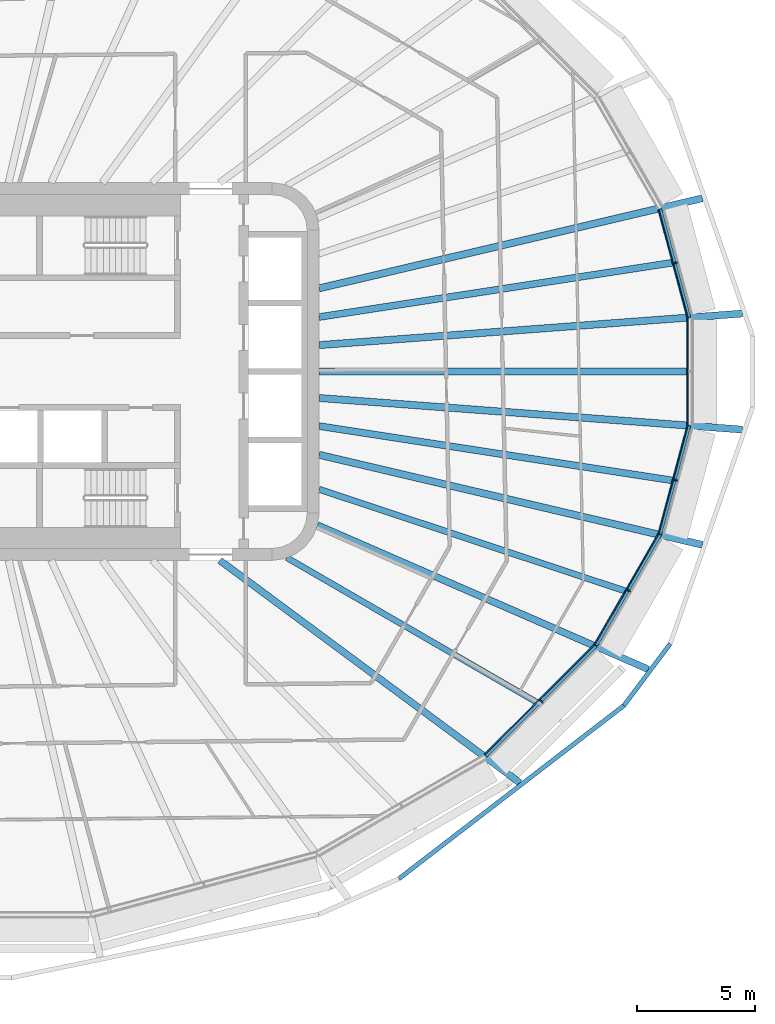
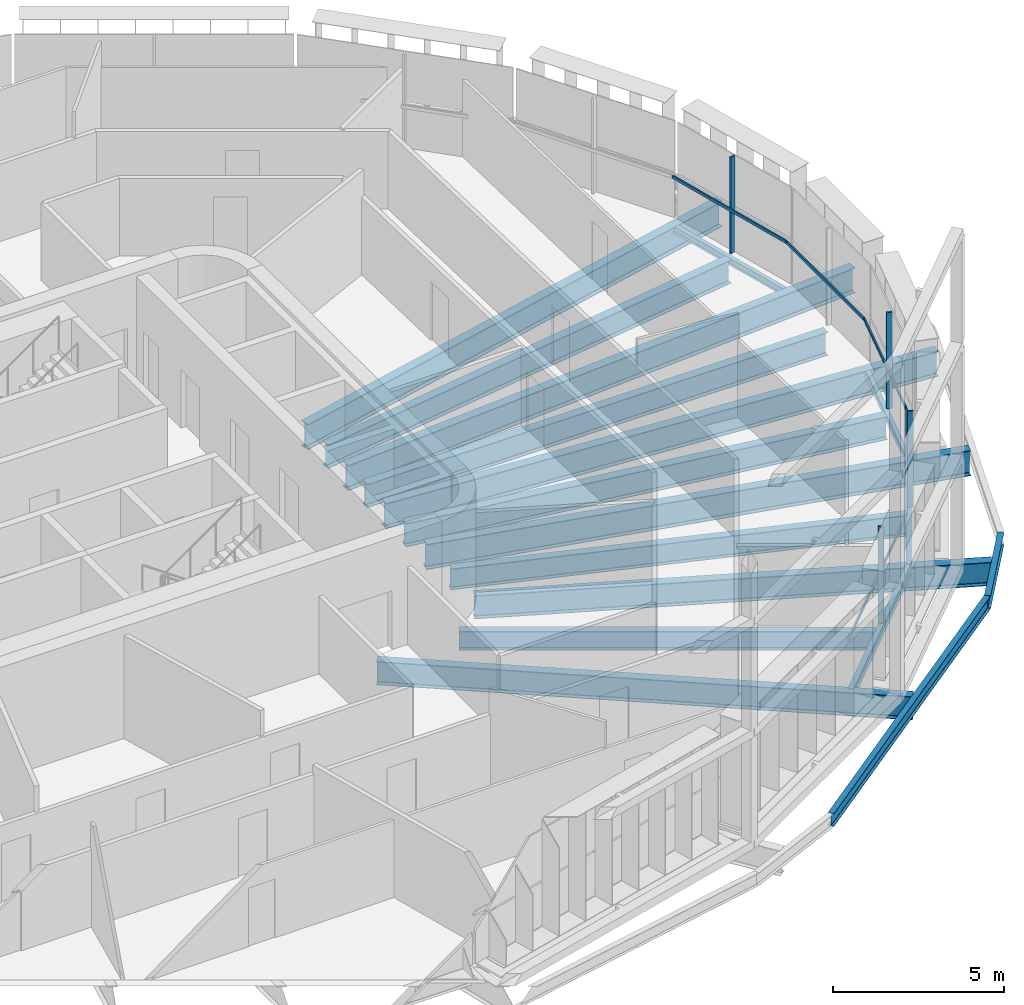
# One storey, part 4 of 23: 17 beams, 9 members, 5 elements without a shape of their own.
"""IFC4 building model written with IfcOpenShell, lengths in metres."""

from ifc_helpers import new_model, si_unit, direction, frame, origin, origin_2d, place, context, subcontext, project, spatial, rectangle, i_section, extrude, material, layer, layer_set, material_profile, profile_set, type_object, element, aggregate, save


model = new_model("IFC4")

# Units and contexts
model_context = context("Model", 3, precision=1e-05, world=origin(), true_north=direction((0.0, 1.0)))
body_context = subcontext(model_context, "Body", "Model", "MODEL_VIEW")
ifc_project = project(units=[si_unit("LENGTHUNIT", "METRE"), si_unit("AREAUNIT", "SQUARE_METRE"), si_unit("VOLUMEUNIT", "CUBIC_METRE"), si_unit("PLANEANGLEUNIT", "RADIAN"), si_unit("MASSUNIT", "GRAM", prefix="KILO")], contexts=[model_context])

# Site, building, storey
site_placement = place(None, origin())
site = spatial("IfcSite", under=ifc_project, at=site_placement, CompositionType="ELEMENT")
building_placement = place(site_placement, origin())
building = spatial("IfcBuilding", under=site, at=building_placement, Name="Sahrelin Media Tower", CompositionType="ELEMENT")
storey_placement = place(building_placement, frame((0.0, 0.0, 185.60009765625)))
storey = spatial("IfcBuildingStorey", under=building, at=storey_placement, Name="L39", CompositionType="ELEMENT", Elevation=185.60009765625)

# Beams
ifc_material_1 = material(Name="Steel S355", Category="steel")
ifc_material_profile_1 = material_profile(ifc_material_1, i_section(OverallWidth=0.14599609375, OverallDepth=0.25146484375, WebThickness=0.006103515625, FlangeThickness=0.008544921875, FilletRadius=0.007568359375, at=origin_2d()), Name="UB 254x146x31")
ifc_profile_set_1 = profile_set([ifc_material_profile_1], Name="Steel S355")
beam_type_1 = type_object("IfcBeamType", Name="Edge beam EB1", PredefinedType="BEAM", material=ifc_profile_set_1)
for number, where, z_axis, x_axis, name in (
    (1, (30.673583984375, -2.296142578125, -0.27587890625), (-0.258840645059, -0.965920038339, 0.0), (0.965920038339, -0.258840645059, 0.0), "Edge beam L39-02"),
    (2, (29.445068359375, 6.880615234375, -0.27587890625), (0.258840645059, -0.965920038339, 0.0), (0.965920038339, 0.258840645059, 0.0), "Edge beam L39-24"),
):
    element("IfcBeam", number, at=place(storey_placement, frame(where, z_axis=z_axis, x_axis=x_axis)), inside=storey, type_object=beam_type_1, Name=name, PredefinedType="BEAM", context=body_context, shape_type="SweptSolid", body=[
        extrude(i_section(OverallWidth=0.14599609375, OverallDepth=0.25146484375, WebThickness=0.006103515625, FlangeThickness=0.008544921875, FilletRadius=0.007568359375, at=origin_2d()), origin(), (0.0, 0.0, 1.0), 4.746337890625),
    ])
ifc_material_profile_2 = material_profile(ifc_material_1, i_section(OverallWidth=0.1650390625, OverallDepth=0.303466796875, WebThickness=0.006103515625, FlangeThickness=0.01025390625, FilletRadius=0.0087890625, at=origin_2d()), Name="UB 305x165x40")
ifc_profile_set_2 = profile_set([ifc_material_profile_2], Name="Steel S355")
beam_type_2 = type_object("IfcBeamType", Name="Edge beam EB2", PredefinedType="BEAM", material=ifc_profile_set_2)
beam_1_placement = place(storey_placement, frame((29.43408203125, -6.9072265625, -0.3017578125), z_axis=(-0.500016705875, -0.866015758428, 0.0), x_axis=(0.866015758428, -0.500016705875, 0.0)))
element("IfcBeam", 3, at=beam_1_placement, inside=storey, type_object=beam_type_2, Name="Edge beam L39-03", PredefinedType="BEAM", context=body_context, shape_type="SweptSolid", body=[
    extrude(i_section(OverallWidth=0.1650390625, OverallDepth=0.303466796875, WebThickness=0.006103515625, FlangeThickness=0.01025390625, FilletRadius=0.0087890625, at=origin_2d()), origin(), (0.0, 0.0, 1.0), 5.410400390625),
])
ifc_material_profile_3 = material_profile(ifc_material_1, i_section(OverallWidth=0.17138671875, OverallDepth=0.35498046875, WebThickness=0.00732421875, FlangeThickness=0.011474609375, FilletRadius=0.01025390625, at=origin_2d()), Name="UB 356x171x51")
ifc_profile_set_3 = profile_set([ifc_material_profile_3], Name="Steel S355")
beam_type_3 = type_object("IfcBeamType", Name="Edge beam EB3", PredefinedType="BEAM", material=ifc_profile_set_3)
beam_2_placement = place(storey_placement, frame((26.711181640625, -11.61572265625, -0.32763671875), z_axis=(-0.70708825429, -0.707125307597, 0.0), x_axis=(0.707125307597, -0.70708825429, 0.0)))
element("IfcBeam", 4, at=beam_2_placement, inside=storey, type_object=beam_type_3, Name="Edge beam L39-04", PredefinedType="BEAM", context=body_context, shape_type="SweptSolid", body=[
    extrude(i_section(OverallWidth=0.17138671875, OverallDepth=0.35498046875, WebThickness=0.00732421875, FlangeThickness=0.011474609375, FilletRadius=0.01025390625, at=origin_2d()), origin(), (0.0, 0.0, 1.0), 6.5888671875),
])

# Curtain wall, member
ifc_material_2 = material(Name="Champagne anodised aluminium 6063-T6", Category="aluminium")
ifc_layer = layer(ifc_material_2, 0.14990234375)
ifc_layer_set = layer_set([ifc_layer], Name="Tower ribbon curtain wall")
curtain_wall_type = type_object("IfcCurtainWallType", Name="Tower ribbon curtain wall", PredefinedType="NOTDEFINED", material=ifc_layer_set)
curtain_wall_1_placement = place(storey_placement, frame((30.2041015625, 4.627197265625, 0.0), z_axis=(0.0, 0.0, 1.0), x_axis=(1.0, 0.0, 0.0)))
curtain_wall_1 = element("IfcCurtainWall", 5, at=curtain_wall_1_placement, inside=storey, type_object=curtain_wall_type, Name="L39:CW:L39-01", PredefinedType="NOTDEFINED")
ifc_material_profile_4 = material_profile(ifc_material_2, rectangle(XDim=0.06005859375, YDim=0.175048828125, at=origin_2d()), Name="Mullion 60x175")
ifc_profile_set_4 = profile_set([ifc_material_profile_4], Name="Champagne anodised aluminium 6063-T6")
member_type_1 = type_object("IfcMemberType", Name="Mullion 60x175 CW1B", PredefinedType="MULLION", material=ifc_profile_set_4)
member_1_placement = place(storey_placement, frame((30.100341796875, 4.599365234375, 0.0), z_axis=(0.0, 0.0, 1.0), x_axis=(-0.25882916024, 0.965923115889, 0.0)))
member_1 = element("IfcMember", 6, at=member_1_placement, type_object=member_type_1, Name="L39:CWM:L39-01", PredefinedType="MULLION", context=body_context, shape_type="SweptSolid", body=[
    extrude(rectangle(XDim=0.06005859375, YDim=0.175048828125, at=origin_2d()), origin(), (0.0, 0.0, 1.0), 3.448486328125),
])

curtain_wall_2_placement = place(storey_placement, frame((24.48779296875, -14.05126953125, 0.0), z_axis=(0.0, 0.0, 1.0), x_axis=(1.0, 0.0, 0.0)))
curtain_wall_2 = element("IfcCurtainWall", 7, at=curtain_wall_2_placement, inside=storey, type_object=curtain_wall_type, Name="L39:CW:L39-21", PredefinedType="NOTDEFINED")
member_2_placement = place(storey_placement, frame((24.411865234375, -13.975341796875, 0.0), z_axis=(0.0, 0.0, 1.0), x_axis=(0.707106781187, 0.707106781187, 0.0)))
member_2 = element("IfcMember", 8, at=member_2_placement, type_object=member_type_1, Name="L39:CWM:L39-21", PredefinedType="MULLION", context=body_context, shape_type="SweptSolid", body=[
    extrude(rectangle(XDim=0.06005859375, YDim=0.175048828125, at=origin_2d()), origin(), (0.0, 0.0, 1.0), 3.448486328125),
])

curtain_wall_3_placement = place(storey_placement, frame((28.211181640625, -9.324951171875, 0.0), z_axis=(0.0, 0.0, 1.0), x_axis=(1.0, 0.0, 0.0)))
curtain_wall_3 = element("IfcCurtainWall", 9, at=curtain_wall_3_placement, inside=storey, type_object=curtain_wall_type, Name="L39:CW:L39-22", PredefinedType="NOTDEFINED")
member_3_placement = place(storey_placement, frame((28.118408203125, -9.271240234375, 0.0), z_axis=(0.0, 0.0, 1.0), x_axis=(0.499996976998, 0.866027149108, 0.0)))
member_3 = element("IfcMember", 10, at=member_3_placement, type_object=member_type_1, Name="L39:CWM:L39-22", PredefinedType="MULLION", context=body_context, shape_type="SweptSolid", body=[
    extrude(rectangle(XDim=0.06005859375, YDim=0.175048828125, at=origin_2d()), origin(), (0.0, 0.0, 1.0), 3.448486328125),
])

curtain_wall_4_placement = place(storey_placement, frame((30.2041015625, -4.627197265625, 0.0), z_axis=(0.0, 0.0, 1.0), x_axis=(1.0, 0.0, 0.0)))
curtain_wall_4 = element("IfcCurtainWall", 11, at=curtain_wall_4_placement, inside=storey, type_object=curtain_wall_type, Name="L39:CW:L39-23", PredefinedType="NOTDEFINED")
member_4_placement = place(storey_placement, frame((30.100341796875, -4.599365234375, 0.0), z_axis=(0.0, 0.0, 1.0), x_axis=(0.25882916024, 0.965923115889, 0.0)))
member_4 = element("IfcMember", 12, at=member_4_placement, type_object=member_type_1, Name="L39:CWM:L39-23", PredefinedType="MULLION", context=body_context, shape_type="SweptSolid", body=[
    extrude(rectangle(XDim=0.06005859375, YDim=0.175048828125, at=origin_2d()), origin(), (0.0, 0.0, 1.0), 3.448486328125),
])

# Beams
ifc_material_profile_5 = material_profile(ifc_material_1, i_section(OverallWidth=0.291748046875, OverallDepth=0.8349609375, WebThickness=0.013916015625, FlangeThickness=0.018798828125, FilletRadius=0.017822265625, at=origin_2d()), Name="UB 838x292x176")
ifc_profile_set_5 = profile_set([ifc_material_profile_5], Name="Steel S355")
beam_type_4 = type_object("IfcBeamType", Name="Radial primary beam PB10", PredefinedType="BEAM", material=ifc_profile_set_5)
beam_3_placement = place(storey_placement, frame((10.793701171875, -8.0, -0.567626953125), z_axis=(0.803393982722, -0.595447821833, 0.0), x_axis=(0.595447821833, 0.803393982722, 0.0)))
element("IfcBeam", 13, at=beam_3_placement, inside=storey, type_object=beam_type_4, Name="Radial beam L39-21", PredefinedType="BEAM", context=body_context, shape_type="SweptSolid", body=[
    extrude(i_section(OverallWidth=0.291748046875, OverallDepth=0.8349609375, WebThickness=0.013916015625, FlangeThickness=0.018798828125, FilletRadius=0.017822265625, at=origin_2d()), origin(), (0.0, 0.0, 1.0), 15.82275390625),
])
beam_4_placement = place(storey_placement, frame((14.93310546875, -6.5078125, -0.567626953125), z_axis=(0.916728212301, -0.399511432591, 0.0), x_axis=(0.399511432591, 0.916728212301, 0.0)))
element("IfcBeam", 14, at=beam_4_placement, inside=storey, type_object=beam_type_4, Name="Radial beam L39-22", PredefinedType="BEAM", context=body_context, shape_type="SweptSolid", body=[
    extrude(i_section(OverallWidth=0.291748046875, OverallDepth=0.8349609375, WebThickness=0.013916015625, FlangeThickness=0.018798828125, FilletRadius=0.017822265625, at=origin_2d()), origin(), (0.0, 0.0, 1.0), 15.28662109375),
])
ifc_material_profile_6 = material_profile(ifc_material_1, i_section(OverallWidth=0.30322265625, OverallDepth=0.903076171875, WebThickness=0.01513671875, FlangeThickness=0.020263671875, FilletRadius=0.01904296875, at=origin_2d()), Name="UB 914x305x201")
ifc_profile_set_6 = profile_set([ifc_material_profile_6], Name="Steel S355")
beam_type_5 = type_object("IfcBeamType", Name="Radial primary beam PB11", PredefinedType="BEAM", material=ifc_profile_set_6)
beam_5_placement = place(storey_placement, frame((15.0, 1.1201171875, -0.6015625), z_axis=(0.99722491711, 0.074447731295, 0.0), x_axis=(-0.074447731295, 0.99722491711, 0.0)))
element("IfcBeam", 15, at=beam_5_placement, inside=storey, type_object=beam_type_5, Name="Radial beam L39-01", PredefinedType="BEAM", context=body_context, shape_type="SweptSolid", body=[
    extrude(i_section(OverallWidth=0.30322265625, OverallDepth=0.903076171875, WebThickness=0.01513671875, FlangeThickness=0.020263671875, FilletRadius=0.01904296875, at=origin_2d()), origin(), (0.0, 0.0, 1.0), 17.98388671875),
])
for number, where, z_axis, x_axis, name in (
    (16, (15.0, 3.525390625, -0.6015625), (0.973473776111, 0.228798617183, 0.0), (-0.228798617183, 0.973473776111, 0.0), "Radial beam L39-02"),
    (17, (15.0, -3.525390625, -0.6015625), (0.973473776111, -0.228798617183, 0.0), (0.228798617183, 0.973473776111, 0.0), "Radial beam L39-23"),
):
    element("IfcBeam", number, at=place(storey_placement, frame(where, z_axis=z_axis, x_axis=x_axis)), inside=storey, type_object=beam_type_5, Name=name, PredefinedType="BEAM", context=body_context, shape_type="SweptSolid", body=[
        extrude(i_section(OverallWidth=0.30322265625, OverallDepth=0.903076171875, WebThickness=0.01513671875, FlangeThickness=0.020263671875, FilletRadius=0.01904296875, at=origin_2d()), origin(), (0.0, 0.0, 1.0), 16.677001953125),
    ])
beam_6_placement = place(storey_placement, frame((15.0, -1.1201171875, -0.6015625), z_axis=(0.99722491711, -0.074447731295, 0.0), x_axis=(0.074447731295, 0.99722491711, 0.0)))
element("IfcBeam", 18, at=beam_6_placement, inside=storey, type_object=beam_type_5, Name="Radial beam L39-24", PredefinedType="BEAM", context=body_context, shape_type="SweptSolid", body=[
    extrude(i_section(OverallWidth=0.30322265625, OverallDepth=0.903076171875, WebThickness=0.01513671875, FlangeThickness=0.020263671875, FilletRadius=0.01904296875, at=origin_2d()), origin(), (0.0, 0.0, 1.0), 17.98388671875),
])
ifc_material_profile_7 = material_profile(ifc_material_1, i_section(OverallWidth=0.291748046875, OverallDepth=0.8349609375, WebThickness=0.013916015625, FlangeThickness=0.018798828125, FilletRadius=0.017822265625, at=origin_2d()), Name="UB 838x292x176")
ifc_profile_set_7 = profile_set([ifc_material_profile_7], Name="Steel S355")
beam_type_6 = type_object("IfcBeamType", Name="Radial secondary beam SB10", PredefinedType="BEAM", material=ifc_profile_set_7)
for number, where, z_axis, x_axis, name in (
    (19, (15.0, 2.308349609375, -0.567626953125), (0.988366481837, 0.152091083176, 0.0), (-0.152091083176, 0.988366481837, 0.0), "Secondary beam L39-01"),
    (20, (15.0, -2.308349609375, -0.567626953125), (0.988366481837, -0.152091083176, 0.0), (0.152091083176, 0.988366481837, 0.0), "Secondary beam L39-23"),
):
    element("IfcBeam", number, at=place(storey_placement, frame(where, z_axis=z_axis, x_axis=x_axis)), inside=storey, type_object=beam_type_6, Name=name, PredefinedType="BEAM", context=body_context, shape_type="SweptSolid", body=[
        extrude(i_section(OverallWidth=0.291748046875, OverallDepth=0.8349609375, WebThickness=0.013916015625, FlangeThickness=0.018798828125, FilletRadius=0.017822265625, at=origin_2d()), origin(), (0.0, 0.0, 1.0), 15.1533203125),
    ])
beam_7_placement = place(storey_placement, frame((15.0, 0.0, -0.567626953125), z_axis=(1.0, 0.0, 0.0), x_axis=(0.0, 1.0, 0.0)))
element("IfcBeam", 21, at=beam_7_placement, inside=storey, type_object=beam_type_6, Name="Secondary beam L39-24", PredefinedType="BEAM", context=body_context, shape_type="SweptSolid", body=[
    extrude(i_section(OverallWidth=0.291748046875, OverallDepth=0.8349609375, WebThickness=0.013916015625, FlangeThickness=0.018798828125, FilletRadius=0.017822265625, at=origin_2d()), origin(), (0.0, 0.0, 1.0), 15.604248046875),
])
ifc_material_profile_8 = material_profile(ifc_material_1, i_section(OverallWidth=0.2529296875, OverallDepth=0.677978515625, WebThickness=0.01171875, FlangeThickness=0.01611328125, FilletRadius=0.01513671875, at=origin_2d()), Name="UB 686x254x125")
ifc_profile_set_8 = profile_set([ifc_material_profile_8], Name="Steel S355")
beam_type_7 = type_object("IfcBeamType", Name="Radial secondary beam SB8", PredefinedType="BEAM", material=ifc_profile_set_8)
beam_8_placement = place(storey_placement, frame((13.63134765625, -7.884765625, -0.489013671875), z_axis=(0.865627368976, -0.500688783658, 0.0), x_axis=(0.500688783658, 0.865627368976, 0.0)))
element("IfcBeam", 22, at=beam_8_placement, inside=storey, type_object=beam_type_7, Name="Secondary beam L39-21", PredefinedType="BEAM", context=body_context, shape_type="SweptSolid", body=[
    extrude(i_section(OverallWidth=0.2529296875, OverallDepth=0.677978515625, WebThickness=0.01171875, FlangeThickness=0.01611328125, FilletRadius=0.01513671875, at=origin_2d()), origin(), (0.0, 0.0, 1.0), 12.215087890625),
])
ifc_material_profile_9 = material_profile(ifc_material_1, i_section(OverallWidth=0.26513671875, OverallDepth=0.75390625, WebThickness=0.0126953125, FlangeThickness=0.017578125, FilletRadius=0.0166015625, at=origin_2d()), Name="UB 762x267x147")
ifc_profile_set_9 = profile_set([ifc_material_profile_9], Name="Steel S355")
beam_type_8 = type_object("IfcBeamType", Name="Radial secondary beam SB9", PredefinedType="BEAM", material=ifc_profile_set_9)
beam_9_placement = place(storey_placement, frame((15.0, -4.986083984375, -0.527099609375), z_axis=(0.948949304443, -0.315428625204, 0.0), x_axis=(0.315428625204, 0.948949304443, 0.0)))
element("IfcBeam", 23, at=beam_9_placement, inside=storey, type_object=beam_type_8, Name="Secondary beam L39-22", PredefinedType="BEAM", context=body_context, shape_type="SweptSolid", body=[
    extrude(i_section(OverallWidth=0.26513671875, OverallDepth=0.75390625, WebThickness=0.0126953125, FlangeThickness=0.017578125, FilletRadius=0.0166015625, at=origin_2d()), origin(), (0.0, 0.0, 1.0), 13.657958984375),
])
ifc_material_profile_10 = material_profile(ifc_material_1, i_section(OverallWidth=0.1904296875, OverallDepth=0.45703125, WebThickness=0.009033203125, FlangeThickness=0.014404296875, FilletRadius=0.01025390625, at=origin_2d()), Name="UB 457x191x74")
ifc_profile_set_10 = profile_set([ifc_material_profile_10], Name="Steel S355")
beam_type_9 = type_object("IfcBeamType", Name="Tie chord TC5", PredefinedType="BEAM", material=ifc_profile_set_10)
beam_10_placement = place(storey_placement, frame((18.379150390625, -21.487548828125, -0.378662109375), z_axis=(0.792442979882, 0.60994600059, 0.0), x_axis=(-0.60994600059, 0.792442979882, 0.0)))
element("IfcBeam", 24, at=beam_10_placement, inside=storey, type_object=beam_type_9, Name="Tie chord L39-21", PredefinedType="BEAM", context=body_context, shape_type="SweptSolid", body=[
    extrude(i_section(OverallWidth=0.1904296875, OverallDepth=0.45703125, WebThickness=0.009033203125, FlangeThickness=0.014404296875, FilletRadius=0.01025390625, at=origin_2d()), origin(), (0.0, 0.0, 1.0), 12.035888671875),
])
beam_11_placement = place(storey_placement, frame((27.9169921875, -14.146240234375, -0.378662109375), z_axis=(0.600059847202, 0.7999551111, 0.0), x_axis=(-0.7999551111, 0.600059847202, 0.0)))
element("IfcBeam", 25, at=beam_11_placement, inside=storey, type_object=beam_type_9, Name="Tie chord L39-22", PredefinedType="BEAM", context=body_context, shape_type="SweptSolid", body=[
    extrude(i_section(OverallWidth=0.1904296875, OverallDepth=0.45703125, WebThickness=0.009033203125, FlangeThickness=0.014404296875, FilletRadius=0.01025390625, at=origin_2d()), origin(), (0.0, 0.0, 1.0), 3.263427734375),
])

# Curtain wall, member
curtain_wall_5_placement = place(storey_placement, frame((30.827392578125, 0.0, 0.0), z_axis=(0.0, 0.0, 1.0), x_axis=(1.0, 0.0, 0.0)))
curtain_wall_5 = element("IfcCurtainWall", 26, at=curtain_wall_5_placement, inside=storey, type_object=curtain_wall_type, Name="L39:CW:L39-00", PredefinedType="NOTDEFINED")
ifc_material_profile_11 = material_profile(ifc_material_2, rectangle(XDim=0.050048828125, YDim=0.110107421875, at=origin_2d()), Name="Transom 50x110")
ifc_profile_set_11 = profile_set([ifc_material_profile_11], Name="Champagne anodised aluminium 6063-T6")
member_type_2 = type_object("IfcMemberType", Name="Transom 50x110 CW1B", PredefinedType="USERDEFINED", material=ifc_profile_set_11)
member_5_placement = place(storey_placement, frame((30.607421875, -2.251708984375, 1.599853515625), z_axis=(0.0, 1.0, 0.0), x_axis=(-1.0, 0.0, 0.0)))
member_5 = element("IfcMember", 27, at=member_5_placement, type_object=member_type_2, Name="L39:CWT:L39-00", ObjectType="TRANSOM", PredefinedType="USERDEFINED", context=body_context, shape_type="SweptSolid", body=[
    extrude(rectangle(XDim=0.050048828125, YDim=0.110107421875, at=origin_2d()), origin(), (0.0, 0.0, 1.0), 4.50341796875),
])
aggregate(curtain_wall_5, [member_5])

# Member
member_6_placement = place(storey_placement, frame((30.601806640625, 2.293212890625, 1.599853515625), z_axis=(-0.258803380373, 0.965930023505, 0.0), x_axis=(-0.965930023505, -0.258803380373, 0.0)))
member_6 = element("IfcMember", 28, at=member_6_placement, type_object=member_type_2, Name="L39:CWT:L39-01", ObjectType="TRANSOM", PredefinedType="USERDEFINED", context=body_context, shape_type="SweptSolid", body=[
    extrude(rectangle(XDim=0.050048828125, YDim=0.110107421875, at=origin_2d()), origin(), (0.0, 0.0, 1.0), 4.71484375),
])

aggregate(curtain_wall_1, [member_1, member_6])

member_7_placement = place(storey_placement, frame((22.013916015625, -16.214111328125, 1.599853515625), z_axis=(0.707106781187, 0.707106781187, 0.0), x_axis=(-0.707106781187, 0.707106781187, 0.0)))
member_7 = element("IfcMember", 29, at=member_7_placement, type_object=member_type_2, Name="L39:CWT:L39-21", ObjectType="TRANSOM", PredefinedType="USERDEFINED", context=body_context, shape_type="SweptSolid", body=[
    extrude(rectangle(XDim=0.050048828125, YDim=0.110107421875, at=origin_2d()), origin(), (0.0, 0.0, 1.0), 6.557373046875),
])

aggregate(curtain_wall_2, [member_2, member_7])

member_8_placement = place(storey_placement, frame((26.676025390625, -11.544189453125, 1.599853515625), z_axis=(0.499985686398, 0.866033667589, 0.0), x_axis=(-0.866033667589, 0.499985686398, 0.0)))
member_8 = element("IfcMember", 30, at=member_8_placement, type_object=member_type_2, Name="L39:CWT:L39-22", ObjectType="TRANSOM", PredefinedType="USERDEFINED", context=body_context, shape_type="SweptSolid", body=[
    extrude(rectangle(XDim=0.050048828125, YDim=0.110107421875, at=origin_2d()), origin(), (0.0, 0.0, 1.0), 5.379150390625),
])

aggregate(curtain_wall_3, [member_3, member_8])

member_9_placement = place(storey_placement, frame((29.381591796875, -6.847412109375, 1.599853515625), z_axis=(0.258803380373, 0.965930023505, 0.0), x_axis=(-0.965930023505, 0.258803380373, 0.0)))
member_9 = element("IfcMember", 31, at=member_9_placement, type_object=member_type_2, Name="L39:CWT:L39-23", ObjectType="TRANSOM", PredefinedType="USERDEFINED", context=body_context, shape_type="SweptSolid", body=[
    extrude(rectangle(XDim=0.050048828125, YDim=0.110107421875, at=origin_2d()), origin(), (0.0, 0.0, 1.0), 4.71484375),
])

aggregate(curtain_wall_4, [member_4, member_9])

save(model, "model.ifc")
